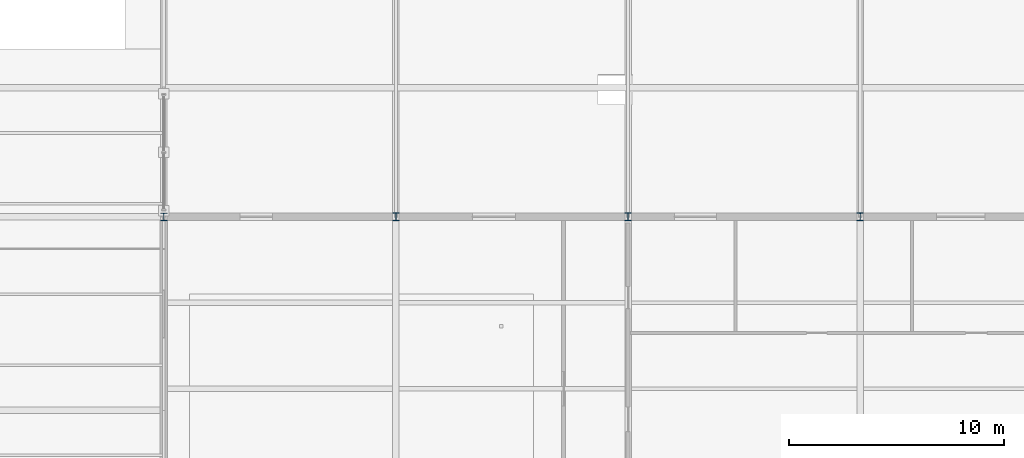
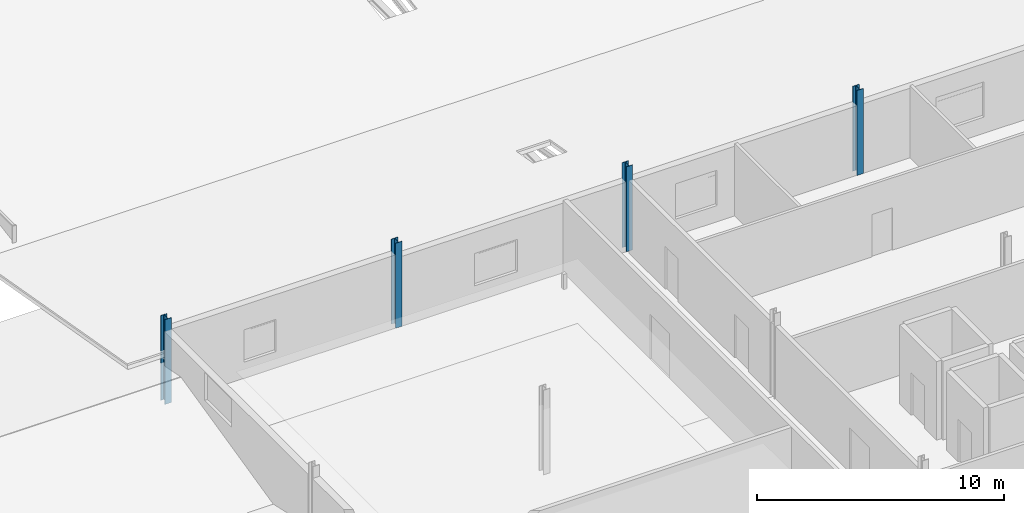
# One storey, part 16 of 117: 4 columns.
"""IFC4 building model written with IfcOpenShell, lengths in metres."""

import ifcopenshell
import ifcopenshell.guid

model = None  # the IFC model being written
_history = None  # IfcOwnerHistory: only IFC2X3 demands one
_inside = {}  # id of a spatial element -> (the spatial element, [elements in it])
_under = {}  # id of a project, library or spatial element -> (it, [spatial elements below it])
_declared = {}  # id of a project -> (the project, [libraries it declares])
_typed = {}  # id of a type object -> (the type object, [elements of that type])
_made_of = {}  # id of a material, layer set ... -> (it, [elements and type objects made of it])


def new_model(schema):
    """Start an empty IFC model of exactly this schema.

    Asked for "IFC4X3", IfcOpenShell would pick the latest addendum, in which some entities
    have other attributes; the version numbers below select the first issue.
    IFC2X3 requires an IfcOwnerHistory on every rooted entity: one is made here for all.
    """
    global model, _history
    if schema == "IFC4X3":
        model = ifcopenshell.file(schema_version=(4, 3, 0, 0))
    else:
        model = ifcopenshell.file(schema=schema)
    _inside.clear()
    _under.clear()
    _declared.clear()
    _typed.clear()
    _made_of.clear()
    _history = None
    if model.schema == "IFC2X3":
        org = make("IfcOrganization", Name="unknown")
        user = make(
            "IfcPersonAndOrganization",
            ThePerson=make("IfcPerson", FamilyName="unknown"),
            TheOrganization=org,
        )
        app = make(
            "IfcApplication",
            ApplicationDeveloper=org,
            Version="unknown",
            ApplicationFullName="unknown",
            ApplicationIdentifier="unknown",
        )
        _history = make(
            "IfcOwnerHistory",
            OwningUser=user,
            OwningApplication=app,
            ChangeAction="ADDED",
            CreationDate=0,
        )
    return model


def make(cls, **values):
    """One entity of the class cls with the attributes given. An attribute that is None is left unset."""
    return model.create_entity(
        cls, **{name: value for name, value in values.items() if value is not None}
    )


def rooted(cls, **values):
    """An entity with a GlobalId (a new one), such as an element, a storey or a relation."""
    return make(cls, GlobalId=ifcopenshell.guid.new(), OwnerHistory=_history, **values)


def si_unit(unit_type, name, prefix=None):
    """IfcSIUnit, for example si_unit("LENGTHUNIT", "METRE", prefix="MILLI")."""
    return make("IfcSIUnit", UnitType=unit_type, Prefix=prefix, Name=name)


def assignment(units):
    """IfcUnitAssignment: the units of a project."""
    return None if units is None else make("IfcUnitAssignment", Units=units)


def point(xyz):
    """IfcCartesianPoint."""
    return None if xyz is None else make("IfcCartesianPoint", Coordinates=xyz)


def direction(xyz):
    """IfcDirection."""
    return None if xyz is None else make("IfcDirection", DirectionRatios=xyz)


def frame(location, z_axis=None, x_axis=None):
    """IfcAxis2Placement3D, a coordinate frame: its origin and axes. An axis left out is left unset."""
    return make(
        "IfcAxis2Placement3D",
        Location=point(location),
        Axis=direction(z_axis),
        RefDirection=direction(x_axis),
    )


def frame_2d(location, x_axis=None):
    """IfcAxis2Placement2D, a coordinate frame in the plane: its origin and x axis."""
    return make(
        "IfcAxis2Placement2D", Location=point(location), RefDirection=direction(x_axis)
    )


def origin():
    """The frame at (0, 0, 0) with its axes left unset."""
    return frame((0.0, 0.0, 0.0))


def origin_2d():
    """The frame at (0, 0) in the plane with its x axis left unset."""
    return frame_2d((0.0, 0.0))


def place(relative_to, where):
    """IfcLocalPlacement: puts the frame where relative to a parent placement (None: the world)."""
    return make(
        "IfcLocalPlacement", PlacementRelTo=relative_to, RelativePlacement=where
    )


def context(
    kind, dimensions, precision=None, world=None, true_north=None, identifier=None
):
    """IfcGeometricRepresentationContext, for example the 3D "Model" context."""
    return make(
        "IfcGeometricRepresentationContext",
        ContextIdentifier=identifier,
        ContextType=kind,
        CoordinateSpaceDimension=dimensions,
        Precision=precision,
        WorldCoordinateSystem=world,
        TrueNorth=true_north,
    )


def subcontext(parent, identifier, kind, view, scale=None):
    """IfcGeometricRepresentationSubContext, for example "Body" below "Model"."""
    return make(
        "IfcGeometricRepresentationSubContext",
        ContextIdentifier=identifier,
        ContextType=kind,
        ParentContext=parent,
        TargetScale=scale,
        TargetView=view,
    )


def project(units=None, contexts=None):
    """IfcProject with its units and contexts."""
    return rooted(
        "IfcProject",
        Name="project",
        RepresentationContexts=contexts,
        UnitsInContext=assignment(units),
    )


def spatial(cls, under=None, at=None, **own):
    """A site, building, storey or space (cls), placed at a placement, below another one or the project."""
    s = rooted(cls, ObjectPlacement=at, **own)
    if under is not None:
        _under.setdefault(under.id(), (under, []))[1].append(s)
    return s


def profile(cls, at=None, kind="AREA", **sizes):
    """A parametric profile (cls). Its sizes go by their IFC names, for example OverallWidth=200.0."""
    return make(cls, ProfileType=kind, Position=at, **sizes)


def i_section(**sizes):
    """IfcIShapeProfileDef."""
    return profile("IfcIShapeProfileDef", **sizes)


def extrude(swept, where, along, depth):
    """IfcExtrudedAreaSolid: the profile swept, set in the frame where, extruded along a direction by depth."""
    return make(
        "IfcExtrudedAreaSolid",
        SweptArea=swept,
        Position=where,
        ExtrudedDirection=direction(along),
        Depth=depth,
    )


def shape(context_of_items, identifier, shape_type, items):
    """IfcShapeRepresentation: the items that make up one representation, for example the "Body"."""
    return make(
        "IfcShapeRepresentation",
        ContextOfItems=context_of_items,
        RepresentationIdentifier=identifier,
        RepresentationType=shape_type,
        Items=items,
    )


def material(Name=None, Category=None):
    """IfcMaterial."""
    return make("IfcMaterial", Name=Name, Category=Category)


def material_profile(
    of_material, cross_section, Name=None, Category=None, Priority=None
):
    """IfcMaterialProfile: a cross section and its material."""
    return make(
        "IfcMaterialProfile",
        Name=Name,
        Material=of_material,
        Profile=cross_section,
        Priority=Priority,
        Category=Category,
    )


def profile_set(profiles, Name=None, composite=None):
    """IfcMaterialProfileSet."""
    return make(
        "IfcMaterialProfileSet",
        Name=Name,
        MaterialProfiles=profiles,
        CompositeProfile=composite,
    )


def made_of(thing, what):
    """Note that an element or type object is made of a material, layer set ...; save() writes the relation."""
    if what is not None:
        _made_of.setdefault(what.id(), (what, []))[1].append(thing)
    return thing


def type_object(cls, material=None, **own):
    """A type object (cls), such as IfcWallType, which elements share."""
    return made_of(rooted(cls, **own), material)


def element(
    cls,
    number,
    at=None,
    inside=None,
    cuts=None,
    type_object=None,
    material=None,
    context=None,
    identifier="Body",
    shape_type=None,
    held_by="IfcProductDefinitionShape",
    body=None,
    shapes=None,
    **own,
):
    """One element of the class cls, such as IfcWall. Its Tag is "e" and its number.

    at: its placement. inside: the storey or other place that contains it. cuts: it is an
    opening in that element (IfcRelVoidsElement). A single representation is given by context,
    identifier, shape_type and body (its items); several are given by shapes. held_by: the class
    of the entity that holds the representations. save() writes the other relations.
    """
    e = rooted(cls, Tag="e%d" % number, ObjectPlacement=at, **own)
    if body is not None:
        shapes = [shape(context, identifier, shape_type, body)]
    if shapes is not None:
        e.Representation = make(held_by, Representations=shapes)
    if inside is not None:
        _inside.setdefault(inside.id(), (inside, []))[1].append(e)
    if cuts is not None:
        rooted(
            "IfcRelVoidsElement", RelatingBuildingElement=cuts, RelatedOpeningElement=e
        )
    if type_object is not None:
        _typed.setdefault(type_object.id(), (type_object, []))[1].append(e)
    return made_of(e, material)


def aggregate(whole, parts):
    """IfcRelAggregates: a whole, such as a stair, and the parts it consists of."""
    return rooted("IfcRelAggregates", RelatingObject=whole, RelatedObjects=parts)


def save(model, path):
    """Write the relations noted so far, then the file.

    IfcRelAggregates (storeys below a building ...), IfcRelContainedInSpatialStructure (elements
    in a storey), IfcRelDefinesByType, IfcRelAssociatesMaterial and IfcRelDeclares: one each for
    every whole, place, type object, material and project.
    """
    for whole, parts in _under.values():
        aggregate(whole, parts)
    for where, things in _inside.values():
        rooted(
            "IfcRelContainedInSpatialStructure",
            RelatedElements=things,
            RelatingStructure=where,
        )
    for kind, things in _typed.values():
        rooted("IfcRelDefinesByType", RelatedObjects=things, RelatingType=kind)
    for what, things in _made_of.values():
        rooted("IfcRelAssociatesMaterial", RelatedObjects=things, RelatingMaterial=what)
    for by, libraries in _declared.values():
        rooted("IfcRelDeclares", RelatingContext=by, RelatedDefinitions=libraries)
    model.write(path)


model = new_model("IFC4")

# Units and contexts
model_context = context("Model", 3, precision=1e-05, world=origin(), true_north=direction((0.0, 1.0)))
body_context = subcontext(model_context, "Body", "Model", "MODEL_VIEW")
ifc_project = project(units=[si_unit("LENGTHUNIT", "METRE"), si_unit("AREAUNIT", "SQUARE_METRE"), si_unit("VOLUMEUNIT", "CUBIC_METRE"), si_unit("PLANEANGLEUNIT", "RADIAN"), si_unit("MASSUNIT", "GRAM", prefix="KILO")], contexts=[model_context])

# Site, building, storey
site_placement = place(None, origin())
site = spatial("IfcSite", under=ifc_project, at=site_placement, CompositionType="ELEMENT")
building_placement = place(site_placement, origin())
building = spatial("IfcBuilding", under=site, at=building_placement, Name="Merenkruunu Market Hall", CompositionType="ELEMENT")
storey_placement = place(building_placement, frame((0.0, 0.0, 10.199951171875)))
storey = spatial("IfcBuildingStorey", under=building, at=storey_placement, Name="L02", CompositionType="ELEMENT", Elevation=10.199951171875)

# Columns
ifc_material = material(Name="Steel S355J2", Category="steel")
ifc_material_profile_1 = material_profile(ifc_material, i_section(OverallWidth=0.300048828125, OverallDepth=0.360107421875, WebThickness=0.012451171875, FlangeThickness=0.0224609375, FilletRadius=0.027099609375, at=origin_2d()), Name="HEB 360")
ifc_profile_set_1 = profile_set([ifc_material_profile_1], Name="Steel S355J2")
column_type_1 = type_object("IfcColumnType", Name="Structural Column C04", PredefinedType="COLUMN", material=ifc_profile_set_1)
for number, where, z_axis, x_axis, name in (
    (1, (159.60009765625, 39.60009765625, 0.0), (0.0, 0.0, 1.0), (1.0, 0.0, 0.0), "COL-L02-R-05"),
    (2, (170.39990234375, 39.60009765625, 0.0), (0.0, 0.0, 1.0), (1.0, 0.0, 0.0), "COL-L02-S-05"),
    (3, (181.199951171875, 39.60009765625, 0.0), (0.0, 0.0, 1.0), (1.0, 0.0, 0.0), "COL-L02-T-05"),
):
    element("IfcColumn", number, at=place(storey_placement, frame(where, z_axis=z_axis, x_axis=x_axis)), inside=storey, type_object=column_type_1, Name=name, PredefinedType="COLUMN", context=body_context, shape_type="SweptSolid", body=[
        extrude(i_section(OverallWidth=0.300048828125, OverallDepth=0.360107421875, WebThickness=0.012451171875, FlangeThickness=0.0224609375, FilletRadius=0.027099609375, at=origin_2d()), origin(), (0.0, 0.0, 1.0), 4.199951171875),
    ])
ifc_material_profile_2 = material_profile(ifc_material, i_section(OverallWidth=0.300048828125, OverallDepth=0.35009765625, WebThickness=0.010009765625, FlangeThickness=0.017578125, FilletRadius=0.027099609375, at=origin_2d()), Name="HEA 360")
ifc_profile_set_2 = profile_set([ifc_material_profile_2], Name="Steel S355J2")
column_type_2 = type_object("IfcColumnType", Name="Structural Column C08", PredefinedType="COLUMN", material=ifc_profile_set_2)
column_placement = place(storey_placement, frame((148.800048828125, 39.60009765625, 0.0), z_axis=(0.0, 0.0, 1.0), x_axis=(1.0, 0.0, 0.0)))
element("IfcColumn", 4, at=column_placement, inside=storey, type_object=column_type_2, Name="COL-L02-Q-05", PredefinedType="COLUMN", context=body_context, shape_type="SweptSolid", body=[
    extrude(i_section(OverallWidth=0.300048828125, OverallDepth=0.35009765625, WebThickness=0.010009765625, FlangeThickness=0.017578125, FilletRadius=0.027099609375, at=origin_2d()), origin(), (0.0, 0.0, 1.0), 4.199951171875),
])

save(model, "model.ifc")
